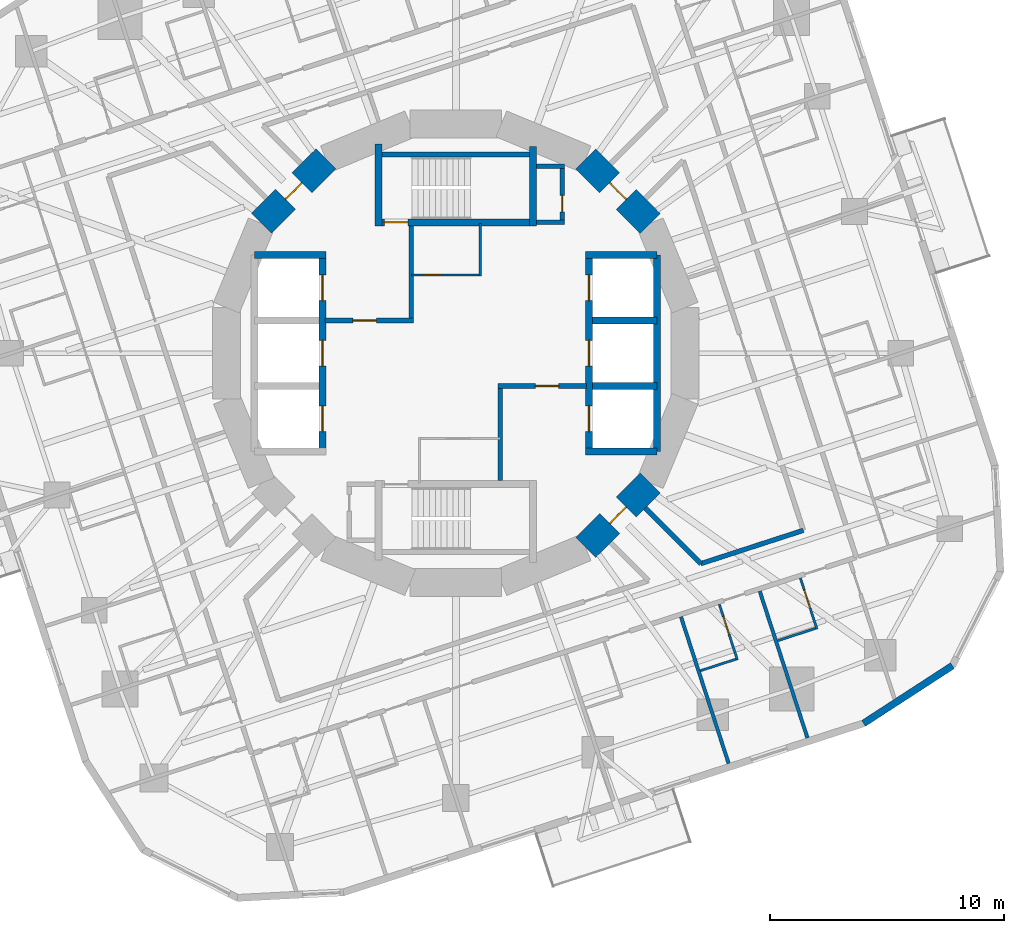
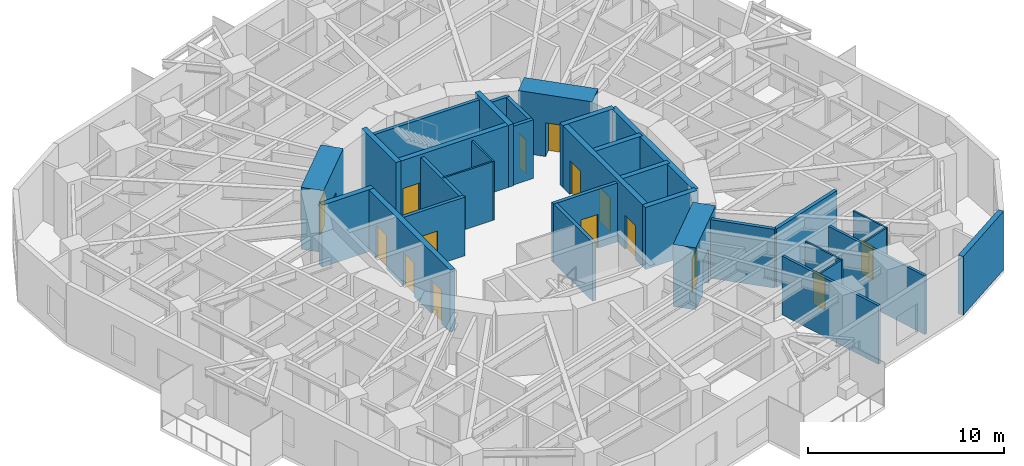
# One storey, part 7 of 12: 33 walls, 16 doors, 16 openings.
"""IFC4 building model written with IfcOpenShell, lengths in metres."""

from ifc_helpers import new_model, si_unit, direction, frame, frame_2d, origin, place, context, subcontext, project, spatial, rectangle, extrude, material, layer, layer_set, type_object, element, fill, save


model = new_model("IFC4")

# Units and contexts
model_context = context("Model", 3, precision=1e-05, world=origin(), true_north=direction((0.0, 1.0)))
body_context = subcontext(model_context, "Body", "Model", "MODEL_VIEW")
ifc_project = project(units=[si_unit("LENGTHUNIT", "METRE"), si_unit("AREAUNIT", "SQUARE_METRE"), si_unit("VOLUMEUNIT", "CUBIC_METRE"), si_unit("PLANEANGLEUNIT", "RADIAN"), si_unit("MASSUNIT", "GRAM", prefix="KILO")], contexts=[model_context])

# Site, building, storey
site_placement = place(None, origin())
site = spatial("IfcSite", under=ifc_project, at=site_placement, CompositionType="ELEMENT")
building_placement = place(site_placement, origin())
building = spatial("IfcBuilding", under=site, at=building_placement, Name="Nakasero Lantern House", CompositionType="ELEMENT")
storey_placement = place(building_placement, frame((0.0, 0.0, 168.75)))
storey = spatial("IfcBuildingStorey", under=building, at=storey_placement, Name="L41", CompositionType="ELEMENT", Elevation=168.75)

# Wall, openings, doors
ifc_material_1 = material(Name="Concrete C50/60", Category="concrete")
ifc_layer_1 = layer(ifc_material_1, 0.300048828125)
ifc_layer_set_1 = layer_set([ifc_layer_1], Name="Core inner wall 300")
wall_type_1 = type_object("IfcWallType", Name="Core inner wall 300", PredefinedType="SHEAR", material=ifc_layer_set_1)
wall_1_placement = place(storey_placement, frame((-5.699951171875, -4.199951171875, 0.0), z_axis=(0.0, 0.0, 1.0), x_axis=(0.0, 1.0, 0.0)))
wall_1 = element("IfcWall", 1, at=wall_1_placement, inside=storey, type_object=wall_type_1, Name="Core inner wall L41 LW", PredefinedType="SHEAR", context=body_context, shape_type="SweptSolid", body=[
    extrude(rectangle(XDim=8.39990234375, YDim=0.300048828125, at=frame_2d((4.199951171875, 0.0))), origin(), (0.0, 0.0, 1.0), 3.85009765625),
])
opening_1_placement = place(wall_1_placement, frame((0.85009765625, 0.0, 0.0)))
opening_1 = element("IfcOpeningElement", 2, at=opening_1_placement, cuts=wall_1, Name="Opening LD", PredefinedType="OPENING", context=body_context, shape_type="SweptSolid", body=[
    extrude(rectangle(XDim=1.10009765625, YDim=2.10009765625, at=frame_2d((0.550048828125, 1.050048828125))), frame((0.0, 0.169921875, 0.0), z_axis=(0.0, -1.0, 0.0), x_axis=(1.0, 0.0, 0.0)), (0.0, 0.0, 1.0), 0.340087890625),
])
opening_2_placement = place(wall_1_placement, frame((3.64990234375, 0.0, 0.0)))
opening_2 = element("IfcOpeningElement", 3, at=opening_2_placement, cuts=wall_1, Name="Opening LD", PredefinedType="OPENING", context=body_context, shape_type="SweptSolid", body=[
    extrude(rectangle(XDim=1.10009765625, YDim=2.10009765625, at=frame_2d((0.550048828125, 1.050048828125))), frame((0.0, 0.169921875, 0.0), z_axis=(0.0, -1.0, 0.0), x_axis=(1.0, 0.0, 0.0)), (0.0, 0.0, 1.0), 0.340087890625),
])
opening_3_placement = place(wall_1_placement, frame((6.449951171875, 0.0, 0.0)))
opening_3 = element("IfcOpeningElement", 4, at=opening_3_placement, cuts=wall_1, Name="Opening LD", PredefinedType="OPENING", context=body_context, shape_type="SweptSolid", body=[
    extrude(rectangle(XDim=1.10009765625, YDim=2.10009765625, at=frame_2d((0.550048828125, 1.050048828125))), frame((0.0, 0.169921875, 0.0), z_axis=(0.0, -1.0, 0.0), x_axis=(1.0, 0.0, 0.0)), (0.0, 0.0, 1.0), 0.340087890625),
])
ifc_material_2 = material(Name="Steel S355", Category="steel")
door_type_1 = type_object("IfcDoorType", Name="Lift landing door E120 1100", OperationType="SLIDING_TO_LEFT", PredefinedType="DOOR", material=ifc_material_2)
door_1_placement = place(opening_1_placement, origin())
door_1 = element("IfcDoor", 5, at=door_1_placement, inside=storey, type_object=door_type_1, Name="Lift landing door LW1", OperationType="SLIDING_TO_LEFT", OverallHeight=2.10009765625, OverallWidth=1.10009765625, PredefinedType="DOOR", context=body_context, shape_type="SweptSolid", body=[
    extrude(rectangle(XDim=1.10009765625, YDim=2.10009765625, at=frame_2d((0.550048828125, 1.050048828125))), frame((0.0, 0.02490234375, 0.0), z_axis=(0.0, -1.0, 0.0), x_axis=(1.0, 0.0, 0.0)), (0.0, 0.0, 1.0), 0.050048828125),
])
fill(opening_1, door_1)
door_2_placement = place(opening_2_placement, origin())
door_2 = element("IfcDoor", 6, at=door_2_placement, inside=storey, type_object=door_type_1, Name="Lift landing door LW2", OperationType="SLIDING_TO_LEFT", OverallHeight=2.10009765625, OverallWidth=1.10009765625, PredefinedType="DOOR", context=body_context, shape_type="SweptSolid", body=[
    extrude(rectangle(XDim=1.10009765625, YDim=2.10009765625, at=frame_2d((0.550048828125, 1.050048828125))), frame((0.0, 0.02490234375, 0.0), z_axis=(0.0, -1.0, 0.0), x_axis=(1.0, 0.0, 0.0)), (0.0, 0.0, 1.0), 0.050048828125),
])
fill(opening_2, door_2)
door_3_placement = place(opening_3_placement, origin())
door_3 = element("IfcDoor", 7, at=door_3_placement, inside=storey, type_object=door_type_1, Name="Lift landing door LW3", OperationType="SLIDING_TO_LEFT", OverallHeight=2.10009765625, OverallWidth=1.10009765625, PredefinedType="DOOR", context=body_context, shape_type="SweptSolid", body=[
    extrude(rectangle(XDim=1.10009765625, YDim=2.10009765625, at=frame_2d((0.550048828125, 1.050048828125))), frame((0.0, 0.02490234375, 0.0), z_axis=(0.0, -1.0, 0.0), x_axis=(1.0, 0.0, 0.0)), (0.0, 0.0, 1.0), 0.050048828125),
])
fill(opening_3, door_3)

wall_2_placement = place(storey_placement, frame((5.699951171875, -4.199951171875, 0.0), z_axis=(0.0, 0.0, 1.0), x_axis=(0.0, 1.0, 0.0)))
wall_2 = element("IfcWall", 8, at=wall_2_placement, inside=storey, type_object=wall_type_1, Name="Core inner wall L41 LE", PredefinedType="SHEAR", context=body_context, shape_type="SweptSolid", body=[
    extrude(rectangle(XDim=8.39990234375, YDim=0.300048828125, at=frame_2d((4.199951171875, 0.0))), origin(), (0.0, 0.0, 1.0), 3.85009765625),
])
opening_4_placement = place(wall_2_placement, frame((0.85009765625, 0.0, 0.0)))
opening_4 = element("IfcOpeningElement", 9, at=opening_4_placement, cuts=wall_2, Name="Opening LD", PredefinedType="OPENING", context=body_context, shape_type="SweptSolid", body=[
    extrude(rectangle(XDim=1.10009765625, YDim=2.10009765625, at=frame_2d((0.550048828125, 1.050048828125))), frame((0.0, 0.169921875, 0.0), z_axis=(0.0, -1.0, 0.0), x_axis=(1.0, 0.0, 0.0)), (0.0, 0.0, 1.0), 0.340087890625),
])
opening_5_placement = place(wall_2_placement, frame((3.64990234375, 0.0, 0.0)))
opening_5 = element("IfcOpeningElement", 10, at=opening_5_placement, cuts=wall_2, Name="Opening LD", PredefinedType="OPENING", context=body_context, shape_type="SweptSolid", body=[
    extrude(rectangle(XDim=1.10009765625, YDim=2.10009765625, at=frame_2d((0.550048828125, 1.050048828125))), frame((0.0, 0.169921875, 0.0), z_axis=(0.0, -1.0, 0.0), x_axis=(1.0, 0.0, 0.0)), (0.0, 0.0, 1.0), 0.340087890625),
])
opening_6_placement = place(wall_2_placement, frame((6.449951171875, 0.0, 0.0)))
opening_6 = element("IfcOpeningElement", 11, at=opening_6_placement, cuts=wall_2, Name="Opening LD", PredefinedType="OPENING", context=body_context, shape_type="SweptSolid", body=[
    extrude(rectangle(XDim=1.10009765625, YDim=2.10009765625, at=frame_2d((0.550048828125, 1.050048828125))), frame((0.0, 0.169921875, 0.0), z_axis=(0.0, -1.0, 0.0), x_axis=(1.0, 0.0, 0.0)), (0.0, 0.0, 1.0), 0.340087890625),
])
door_4_placement = place(opening_4_placement, origin())
door_4 = element("IfcDoor", 12, at=door_4_placement, inside=storey, type_object=door_type_1, Name="Lift landing door LE1", OperationType="SLIDING_TO_LEFT", OverallHeight=2.10009765625, OverallWidth=1.10009765625, PredefinedType="DOOR", context=body_context, shape_type="SweptSolid", body=[
    extrude(rectangle(XDim=1.10009765625, YDim=2.10009765625, at=frame_2d((0.550048828125, 1.050048828125))), frame((0.0, 0.02490234375, 0.0), z_axis=(0.0, -1.0, 0.0), x_axis=(1.0, 0.0, 0.0)), (0.0, 0.0, 1.0), 0.050048828125),
])
fill(opening_4, door_4)
door_5_placement = place(opening_5_placement, origin())
door_5 = element("IfcDoor", 13, at=door_5_placement, inside=storey, type_object=door_type_1, Name="Lift landing door LE2", OperationType="SLIDING_TO_LEFT", OverallHeight=2.10009765625, OverallWidth=1.10009765625, PredefinedType="DOOR", context=body_context, shape_type="SweptSolid", body=[
    extrude(rectangle(XDim=1.10009765625, YDim=2.10009765625, at=frame_2d((0.550048828125, 1.050048828125))), frame((0.0, 0.02490234375, 0.0), z_axis=(0.0, -1.0, 0.0), x_axis=(1.0, 0.0, 0.0)), (0.0, 0.0, 1.0), 0.050048828125),
])
fill(opening_5, door_5)
door_6_placement = place(opening_6_placement, origin())
door_6 = element("IfcDoor", 14, at=door_6_placement, inside=storey, type_object=door_type_1, Name="Lift landing door LE3", OperationType="SLIDING_TO_LEFT", OverallHeight=2.10009765625, OverallWidth=1.10009765625, PredefinedType="DOOR", context=body_context, shape_type="SweptSolid", body=[
    extrude(rectangle(XDim=1.10009765625, YDim=2.10009765625, at=frame_2d((0.550048828125, 1.050048828125))), frame((0.0, 0.02490234375, 0.0), z_axis=(0.0, -1.0, 0.0), x_axis=(1.0, 0.0, 0.0)), (0.0, 0.0, 1.0), 0.050048828125),
])
fill(opening_6, door_6)

# Walls
for number, where, z_axis, x_axis, name in (
    (15, (-8.60009765625, 4.199951171875, 0.0), (0.0, 0.0, 1.0), (1.0, 0.0, 0.0), "Core inner wall L41 LWN"),
    (16, (5.550048828125, 4.199951171875, 0.0), (0.0, 0.0, 1.0), (1.0, 0.0, 0.0), "Core inner wall L41 LEN"),
    (17, (5.550048828125, -4.199951171875, 0.0), (0.0, 0.0, 1.0), (1.0, 0.0, 0.0), "Core inner wall L41 LES"),
):
    element("IfcWall", number, at=place(storey_placement, frame(where, z_axis=z_axis, x_axis=x_axis)), inside=storey, type_object=wall_type_1, Name=name, PredefinedType="SHEAR", context=body_context, shape_type="SweptSolid", body=[
        extrude(rectangle(XDim=3.050048828125, YDim=0.300048828125, at=frame_2d((1.52490234375, 0.0))), origin(), (0.0, 0.0, 1.0), 3.85009765625),
    ])
wall_3_placement = place(storey_placement, frame((8.60009765625, -4.199951171875, 0.0), z_axis=(0.0, 0.0, 1.0), x_axis=(0.0, 1.0, 0.0)))
element("IfcWall", 18, at=wall_3_placement, inside=storey, type_object=wall_type_1, Name="Core inner wall L41 LEB", PredefinedType="SHEAR", context=body_context, shape_type="SweptSolid", body=[
    extrude(rectangle(XDim=8.39990234375, YDim=0.300048828125, at=frame_2d((4.199951171875, 0.0))), origin(), (0.0, 0.0, 1.0), 3.85009765625),
])
for number, where, z_axis, x_axis, name in (
    (19, (5.85009765625, -1.39990234375, 0.0), (0.0, 0.0, 1.0), (1.0, 0.0, 0.0), "Core inner wall L41 LE1"),
    (20, (5.85009765625, 1.39990234375, 0.0), (0.0, 0.0, 1.0), (1.0, 0.0, 0.0), "Core inner wall L41 LE2"),
):
    element("IfcWall", number, at=place(storey_placement, frame(where, z_axis=z_axis, x_axis=x_axis)), inside=storey, type_object=wall_type_1, Name=name, PredefinedType="SHEAR", context=body_context, shape_type="SweptSolid", body=[
        extrude(rectangle(XDim=2.75, YDim=0.300048828125, at=frame_2d((1.375, 0.0))), origin(), (0.0, 0.0, 1.0), 3.85009765625),
    ])

# Wall, opening, door
wall_4_placement = place(storey_placement, frame((-3.449951171875, 5.60009765625, 0.0), z_axis=(0.0, 0.0, 1.0), x_axis=(1.0, 0.0, 0.0)))
wall_4 = element("IfcWall", 21, at=wall_4_placement, inside=storey, type_object=wall_type_1, Name="Core inner wall L41 SN", PredefinedType="SHEAR", context=body_context, shape_type="SweptSolid", body=[
    extrude(rectangle(XDim=6.89990234375, YDim=0.300048828125, at=frame_2d((3.449951171875, 0.0))), origin(), (0.0, 0.0, 1.0), 3.85009765625),
])
opening_7_placement = place(wall_4_placement, frame((0.39990234375, 0.0, 0.0)))
opening_7 = element("IfcOpeningElement", 22, at=opening_7_placement, cuts=wall_4, Name="Opening D05", PredefinedType="OPENING", context=body_context, shape_type="SweptSolid", body=[
    extrude(rectangle(XDim=1.0, YDim=2.10009765625, at=frame_2d((0.5, 1.050048828125))), frame((0.0, 0.169921875, 0.0), z_axis=(0.0, -1.0, 0.0), x_axis=(1.0, 0.0, 0.0)), (0.0, 0.0, 1.0), 0.340087890625),
])
ifc_material_3 = material(Name="Timber C24", Category="wood")
door_type_2 = type_object("IfcDoorType", Name="Core door FD60S 1000", OperationType="SINGLE_SWING_LEFT", PredefinedType="DOOR", material=ifc_material_3)
door_7_placement = place(opening_7_placement, origin())
door_7 = element("IfcDoor", 23, at=door_7_placement, inside=storey, type_object=door_type_2, Name="Door L41 D-ST1", OperationType="SINGLE_SWING_LEFT", OverallHeight=2.10009765625, OverallWidth=1.0, PredefinedType="DOOR", context=body_context, shape_type="SweptSolid", body=[
    extrude(rectangle(XDim=1.0, YDim=2.10009765625, at=frame_2d((0.5, 1.050048828125))), frame((0.0, 0.02490234375, 0.0), z_axis=(0.0, -1.0, 0.0), x_axis=(1.0, 0.0, 0.0)), (0.0, 0.0, 1.0), 0.050048828125),
])
fill(opening_7, door_7)

# Walls
wall_5_placement = place(storey_placement, frame((-3.300048828125, 5.449951171875, 0.0), z_axis=(0.0, 0.0, 1.0), x_axis=(0.0, 1.0, 0.0)))
element("IfcWall", 24, at=wall_5_placement, inside=storey, type_object=wall_type_1, Name="Core inner wall L41 SNW", PredefinedType="SHEAR", context=body_context, shape_type="SweptSolid", body=[
    extrude(rectangle(XDim=3.5, YDim=0.300048828125, at=frame_2d((1.75, 0.0))), origin(), (0.0, 0.0, 1.0), 3.85009765625),
])
wall_6_placement = place(storey_placement, frame((3.300048828125, 5.449951171875, 0.0), z_axis=(0.0, 0.0, 1.0), x_axis=(0.0, 1.0, 0.0)))
element("IfcWall", 25, at=wall_6_placement, inside=storey, type_object=wall_type_1, Name="Core inner wall L41 SNE", PredefinedType="SHEAR", context=body_context, shape_type="SweptSolid", body=[
    extrude(rectangle(XDim=3.400146484375, YDim=0.300048828125, at=frame_2d((1.7001953125, 0.0))), origin(), (0.0, 0.0, 1.0), 3.85009765625),
])

# Wall, opening, door
ifc_material_4 = material(Name="Blockwork", Category="masonry")
ifc_layer_2 = layer(ifc_material_4, 0.10009765625)
ifc_layer_set_2 = layer_set([ifc_layer_2], Name="Core room wall 100")
wall_type_2 = type_object("IfcWallType", Name="Core room wall 100", PredefinedType="PARTITIONING", material=ifc_layer_set_2)
wall_7_placement = place(storey_placement, frame((-1.89990234375, 3.35009765625, 0.0), z_axis=(0.0, 0.0, 1.0), x_axis=(1.0, 0.0, 0.0)))
wall_7 = element("IfcWall", 26, at=wall_7_placement, inside=storey, type_object=wall_type_2, Name="Core room wall L41 CR-NES", PredefinedType="PARTITIONING", context=body_context, shape_type="SweptSolid", body=[
    extrude(rectangle(XDim=3.0, YDim=0.10009765625, at=frame_2d((1.5, 0.0))), origin(), (0.0, 0.0, 1.0), 3.64990234375),
])
opening_8_placement = place(wall_7_placement, frame((0.5, 0.0, 0.0)))
opening_8 = element("IfcOpeningElement", 27, at=opening_8_placement, cuts=wall_7, Name="Opening D15", PredefinedType="OPENING", context=body_context, shape_type="SweptSolid", body=[
    extrude(rectangle(XDim=0.800048828125, YDim=2.10009765625, at=frame_2d((0.39990234375, 1.050048828125))), frame((0.0, 0.070068359375, 0.0), z_axis=(0.0, -1.0, 0.0), x_axis=(1.0, 0.0, 0.0)), (0.0, 0.0, 1.0), 0.14013671875),
])
ifc_material_5 = material(Name="Timber C24", Category="wood")
door_type_3 = type_object("IfcDoorType", Name="Cleaner's store door FD30S 800", OperationType="SINGLE_SWING_LEFT", PredefinedType="DOOR", material=ifc_material_5)
door_8_placement = place(opening_8_placement, origin())
door_8 = element("IfcDoor", 28, at=door_8_placement, inside=storey, type_object=door_type_3, Name="Door L41 D-CR-NE", OperationType="SINGLE_SWING_LEFT", OverallHeight=2.10009765625, OverallWidth=0.800048828125, PredefinedType="DOOR", context=body_context, shape_type="SweptSolid", body=[
    extrude(rectangle(XDim=0.800048828125, YDim=2.10009765625, at=frame_2d((0.39990234375, 1.050048828125))), frame((0.0, 0.02490234375, 0.0), z_axis=(0.0, -1.0, 0.0), x_axis=(1.0, 0.0, 0.0)), (0.0, 0.0, 1.0), 0.050048828125),
])
fill(opening_8, door_8)

# Wall
wall_8_placement = place(storey_placement, frame((1.050048828125, 3.300048828125, 0.0), z_axis=(0.0, 0.0, 1.0), x_axis=(0.0, 1.0, 0.0)))
element("IfcWall", 29, at=wall_8_placement, inside=storey, type_object=wall_type_2, Name="Core room wall L41 CR-NEE", PredefinedType="PARTITIONING", context=body_context, shape_type="SweptSolid", body=[
    extrude(rectangle(XDim=2.25, YDim=0.10009765625, at=frame_2d((1.125, 0.0))), origin(), (0.0, 0.0, 1.0), 3.64990234375),
])

# Wall, opening, door
ifc_material_6 = material(Name="Concrete C50/60", Category="concrete")
ifc_layer_3 = layer(ifc_material_6, 1.199951171875)
ifc_layer_set_3 = layer_set([ifc_layer_3], Name="Core wall 1200")
wall_type_3 = type_object("IfcWallType", Name="Core wall 1200", PredefinedType="SHEAR", material=ifc_layer_set_3)
wall_9_placement = place(storey_placement, frame((8.314697265625, 5.5556640625, 0.0), z_axis=(0.0, 0.0, 1.0), x_axis=(-0.707106781187, 0.707106781187, 0.0)))
wall_9 = element("IfcWall", 30, at=wall_9_placement, inside=storey, type_object=wall_type_3, Name="Core wall L41 facet 2", PredefinedType="SHEAR", context=body_context, shape_type="SweptSolid", body=[
    extrude(rectangle(XDim=3.90185546875, YDim=1.199951171875, at=frame_2d((1.950927734375, 0.0))), origin(), (0.0, 0.0, 1.0), 3.85009765625),
])
opening_9_placement = place(wall_9_placement, frame((1.450927734375, 0.0, 0.0)))
opening_9 = element("IfcOpeningElement", 31, at=opening_9_placement, cuts=wall_9, Name="Opening D05", PredefinedType="OPENING", context=body_context, shape_type="SweptSolid", body=[
    extrude(rectangle(XDim=1.0, YDim=2.10009765625, at=frame_2d((0.5, 1.050048828125))), frame((0.0, 0.619873046875, 0.0), z_axis=(0.0, -1.0, 0.0), x_axis=(1.0, 0.0, 0.0)), (0.0, 0.0, 1.0), 1.239990234375),
])
door_9_placement = place(opening_9_placement, origin())
door_9 = element("IfcDoor", 32, at=door_9_placement, inside=storey, type_object=door_type_2, Name="Door L41 D-CORE02", OperationType="SINGLE_SWING_LEFT", OverallHeight=2.10009765625, OverallWidth=1.0, PredefinedType="DOOR", context=body_context, shape_type="SweptSolid", body=[
    extrude(rectangle(XDim=1.0, YDim=2.10009765625, at=frame_2d((0.5, 1.050048828125))), frame((0.0, 0.02490234375, 0.0), z_axis=(0.0, -1.0, 0.0), x_axis=(1.0, 0.0, 0.0)), (0.0, 0.0, 1.0), 0.050048828125),
])
fill(opening_9, door_9)

wall_10_placement = place(storey_placement, frame((-5.5556640625, 8.314697265625, 0.0), z_axis=(0.0, 0.0, 1.0), x_axis=(-0.707106781187, -0.707106781187, 0.0)))
wall_10 = element("IfcWall", 33, at=wall_10_placement, inside=storey, type_object=wall_type_3, Name="Core wall L41 facet 6", PredefinedType="SHEAR", context=body_context, shape_type="SweptSolid", body=[
    extrude(rectangle(XDim=3.90185546875, YDim=1.199951171875, at=frame_2d((1.950927734375, 0.0))), origin(), (0.0, 0.0, 1.0), 3.85009765625),
])
opening_10_placement = place(wall_10_placement, frame((1.450927734375, 0.0, 0.0)))
opening_10 = element("IfcOpeningElement", 34, at=opening_10_placement, cuts=wall_10, Name="Opening D05", PredefinedType="OPENING", context=body_context, shape_type="SweptSolid", body=[
    extrude(rectangle(XDim=1.0, YDim=2.10009765625, at=frame_2d((0.5, 1.050048828125))), frame((0.0, 0.619873046875, 0.0), z_axis=(0.0, -1.0, 0.0), x_axis=(1.0, 0.0, 0.0)), (0.0, 0.0, 1.0), 1.239990234375),
])
door_10_placement = place(opening_10_placement, origin())
door_10 = element("IfcDoor", 35, at=door_10_placement, inside=storey, type_object=door_type_2, Name="Door L41 D-CORE06", OperationType="SINGLE_SWING_LEFT", OverallHeight=2.10009765625, OverallWidth=1.0, PredefinedType="DOOR", context=body_context, shape_type="SweptSolid", body=[
    extrude(rectangle(XDim=1.0, YDim=2.10009765625, at=frame_2d((0.5, 1.050048828125))), frame((0.0, 0.02490234375, 0.0), z_axis=(0.0, -1.0, 0.0), x_axis=(1.0, 0.0, 0.0)), (0.0, 0.0, 1.0), 0.050048828125),
])
fill(opening_10, door_10)

wall_11_placement = place(storey_placement, frame((5.5556640625, -8.314697265625, 0.0), z_axis=(0.0, 0.0, 1.0), x_axis=(0.707106781187, 0.707106781187, 0.0)))
wall_11 = element("IfcWall", 36, at=wall_11_placement, inside=storey, type_object=wall_type_3, Name="Core wall L41 facet 14", PredefinedType="SHEAR", context=body_context, shape_type="SweptSolid", body=[
    extrude(rectangle(XDim=3.90185546875, YDim=1.199951171875, at=frame_2d((1.950927734375, 0.0))), origin(), (0.0, 0.0, 1.0), 3.85009765625),
])
opening_11_placement = place(wall_11_placement, frame((1.450927734375, 0.0, 0.0)))
opening_11 = element("IfcOpeningElement", 37, at=opening_11_placement, cuts=wall_11, Name="Opening D05", PredefinedType="OPENING", context=body_context, shape_type="SweptSolid", body=[
    extrude(rectangle(XDim=1.0, YDim=2.10009765625, at=frame_2d((0.5, 1.050048828125))), frame((0.0, 0.619873046875, 0.0), z_axis=(0.0, -1.0, 0.0), x_axis=(1.0, 0.0, 0.0)), (0.0, 0.0, 1.0), 1.239990234375),
])
door_11_placement = place(opening_11_placement, origin())
door_11 = element("IfcDoor", 38, at=door_11_placement, inside=storey, type_object=door_type_2, Name="Door L41 D-CORE14", OperationType="SINGLE_SWING_LEFT", OverallHeight=2.10009765625, OverallWidth=1.0, PredefinedType="DOOR", context=body_context, shape_type="SweptSolid", body=[
    extrude(rectangle(XDim=1.0, YDim=2.10009765625, at=frame_2d((0.5, 1.050048828125))), frame((0.0, 0.02490234375, 0.0), z_axis=(0.0, -1.0, 0.0), x_axis=(1.0, 0.0, 0.0)), (0.0, 0.0, 1.0), 0.050048828125),
])
fill(opening_11, door_11)

# Walls
ifc_material_7 = material(Name="Blockwork", Category="masonry")
ifc_layer_4 = layer(ifc_material_7, 0.199951171875)
ifc_layer_set_4 = layer_set([ifc_layer_4], Name="Corridor wall 200")
wall_type_4 = type_object("IfcWallType", Name="Corridor wall 200", PredefinedType="PARTITIONING", material=ifc_layer_set_4)
wall_12_placement = place(storey_placement, frame((10.4853515625, -9.00048828125, 0.0), z_axis=(0.0, 0.0, 1.0), x_axis=(0.951055475561, 0.309020197406, 0.0)))
element("IfcWall", 39, at=wall_12_placement, inside=storey, type_object=wall_type_4, Name="Corridor wall L41 IW3-1", PredefinedType="PARTITIONING", context=body_context, shape_type="SweptSolid", body=[
    extrude(rectangle(XDim=4.609130859375, YDim=0.199951171875, at=frame_2d((2.3046875, 0.0))), origin(), (0.0, 0.0, 1.0), 3.64990234375),
])
wall_13_placement = place(storey_placement, frame((8.101806640625, -6.616943359375, 0.0), z_axis=(0.0, 0.0, 1.0), x_axis=(0.707106781187, -0.707106781187, 0.0)))
element("IfcWall", 40, at=wall_13_placement, inside=storey, type_object=wall_type_4, Name="Corridor wall L41 PS14a", PredefinedType="PARTITIONING", context=body_context, shape_type="SweptSolid", body=[
    extrude(rectangle(XDim=3.370849609375, YDim=0.199951171875, at=frame_2d((1.685546875, 0.0))), origin(), (0.0, 0.0, 1.0), 3.64990234375),
])

# Wall, opening, door
ifc_material_8 = material(Name="Blockwork", Category="masonry")
ifc_layer_5 = layer(ifc_material_8, 0.10009765625)
ifc_layer_set_5 = layer_set([ifc_layer_5], Name="En-suite wall 100")
wall_type_5 = type_object("IfcWallType", Name="En-suite wall 100", PredefinedType="PARTITIONING", material=ifc_layer_set_5)
wall_14_placement = place(storey_placement, frame((11.2744140625, -10.74169921875, 0.0), z_axis=(0.0, 0.0, 1.0), x_axis=(0.308982287281, -0.951067792613, 0.0)))
wall_14 = element("IfcWall", 41, at=wall_14_placement, inside=storey, type_object=wall_type_5, Name="En-suite wall L41 ES3-05", PredefinedType="PARTITIONING", context=body_context, shape_type="SweptSolid", body=[
    extrude(rectangle(XDim=2.5, YDim=0.10009765625, at=frame_2d((1.25, 0.0))), origin(), (0.0, 0.0, 1.0), 3.64990234375),
])
opening_12_placement = place(wall_14_placement, frame((0.550048828125, 0.0, 0.0)))
opening_12 = element("IfcOpeningElement", 42, at=opening_12_placement, cuts=wall_14, Name="Opening D02", PredefinedType="OPENING", context=body_context, shape_type="SweptSolid", body=[
    extrude(rectangle(XDim=0.800048828125, YDim=2.10009765625, at=frame_2d((0.39990234375, 1.050048828125))), frame((0.0, 0.070068359375, 0.0), z_axis=(0.0, -1.0, 0.0), x_axis=(1.0, 0.0, 0.0)), (0.0, 0.0, 1.0), 0.14013671875),
])
ifc_material_9 = material(Name="Timber C24", Category="wood")
door_type_4 = type_object("IfcDoorType", Name="En-suite door 800", OperationType="SINGLE_SWING_RIGHT", PredefinedType="DOOR", material=ifc_material_9)
door_12_placement = place(opening_12_placement, origin())
door_12 = element("IfcDoor", 43, at=door_12_placement, inside=storey, type_object=door_type_4, Name="Door L41 DE3-05", OperationType="SINGLE_SWING_LEFT", OverallHeight=2.10009765625, OverallWidth=0.800048828125, PredefinedType="DOOR", context=body_context, shape_type="SweptSolid", body=[
    extrude(rectangle(XDim=0.800048828125, YDim=2.10009765625, at=frame_2d((0.39990234375, 1.050048828125))), frame((0.0, 0.02490234375, 0.0), z_axis=(0.0, -1.0, 0.0), x_axis=(1.0, 0.0, 0.0)), (0.0, 0.0, 1.0), 0.050048828125),
])
fill(opening_12, door_12)

# Wall
wall_15_placement = place(storey_placement, frame((10.462158203125, -13.581787109375, 0.0), z_axis=(0.0, 0.0, 1.0), x_axis=(0.951066581729, 0.308986014439, 0.0)))
element("IfcWall", 44, at=wall_15_placement, inside=storey, type_object=wall_type_5, Name="En-suite wall L41 EE3-05", PredefinedType="PARTITIONING", context=body_context, shape_type="SweptSolid", body=[
    extrude(rectangle(XDim=1.60009765625, YDim=0.10009765625, at=frame_2d((0.800048828125, 0.0))), origin(), (0.0, 0.0, 1.0), 3.64990234375),
])

# Wall, opening, door
wall_16_placement = place(storey_placement, frame((14.740234375, -9.61572265625, 0.0), z_axis=(0.0, 0.0, 1.0), x_axis=(0.309021261611, -0.951055129775, 0.0)))
wall_16 = element("IfcWall", 45, at=wall_16_placement, inside=storey, type_object=wall_type_5, Name="En-suite wall L41 ES3-06", PredefinedType="PARTITIONING", context=body_context, shape_type="SweptSolid", body=[
    extrude(rectangle(XDim=2.2998046875, YDim=0.10009765625, at=frame_2d((1.14990234375, 0.0))), origin(), (0.0, 0.0, 1.0), 3.64990234375),
])
opening_13_placement = place(wall_16_placement, frame((0.550048828125, 0.0, 0.0)))
opening_13 = element("IfcOpeningElement", 46, at=opening_13_placement, cuts=wall_16, Name="Opening D02", PredefinedType="OPENING", context=body_context, shape_type="SweptSolid", body=[
    extrude(rectangle(XDim=0.800048828125, YDim=2.10009765625, at=frame_2d((0.39990234375, 1.050048828125))), frame((0.0, 0.070068359375, 0.0), z_axis=(0.0, -1.0, 0.0), x_axis=(1.0, 0.0, 0.0)), (0.0, 0.0, 1.0), 0.14013671875),
])
door_13_placement = place(opening_13_placement, origin())
door_13 = element("IfcDoor", 47, at=door_13_placement, inside=storey, type_object=door_type_4, Name="Door L41 DE3-06", OperationType="SINGLE_SWING_LEFT", OverallHeight=2.10009765625, OverallWidth=0.800048828125, PredefinedType="DOOR", context=body_context, shape_type="SweptSolid", body=[
    extrude(rectangle(XDim=0.800048828125, YDim=2.10009765625, at=frame_2d((0.39990234375, 1.050048828125))), frame((0.0, 0.02490234375, 0.0), z_axis=(0.0, -1.0, 0.0), x_axis=(1.0, 0.0, 0.0)), (0.0, 0.0, 1.0), 0.050048828125),
])
fill(opening_13, door_13)

# Walls
wall_17_placement = place(storey_placement, frame((13.771240234375, -12.29638671875, 0.0), z_axis=(0.0, 0.0, 1.0), x_axis=(0.951040401051, 0.309066587596, 0.0)))
element("IfcWall", 48, at=wall_17_placement, inside=storey, type_object=wall_type_5, Name="En-suite wall L41 EE3-06", PredefinedType="PARTITIONING", context=body_context, shape_type="SweptSolid", body=[
    extrude(rectangle(XDim=1.699951171875, YDim=0.10009765625, at=frame_2d((0.85009765625, 0.0))), origin(), (0.0, 0.0, 1.0), 3.64990234375),
])
ifc_material_10 = material(Name="Aluminium rainscreen on blockwork", Category="masonry")
ifc_layer_6 = layer(ifc_material_10, 0.300048828125)
ifc_layer_set_6 = layer_set([ifc_layer_6], Name="Facade wall 300")
wall_type_6 = type_object("IfcWallType", Name="Facade wall 300", PredefinedType="SOLIDWALL", material=ifc_layer_set_6)
wall_18_placement = place(storey_placement, frame((17.44677734375, -15.83349609375, 0.0), z_axis=(0.0, 0.0, 1.0), x_axis=(0.838673836229, 0.544634002266, 0.0)))
element("IfcWall", 49, at=wall_18_placement, inside=storey, type_object=wall_type_6, Name="Facade wall L41 FW3C1", PredefinedType="SOLIDWALL", context=body_context, shape_type="SweptSolid", body=[
    extrude(rectangle(XDim=4.529296875, YDim=0.300048828125, at=frame_2d((2.2646484375, 0.0))), origin(), (0.0, 0.0, 1.0), 3.64990234375),
])

# Wall, opening, door
ifc_material_11 = material(Name="Blockwork", Category="masonry")
ifc_layer_7 = layer(ifc_material_11, 0.199951171875)
ifc_layer_set_7 = layer_set([ifc_layer_7], Name="Fire lobby wall 200")
wall_type_7 = type_object("IfcWallType", Name="Fire lobby wall 200", PredefinedType="PARTITIONING", material=ifc_layer_set_7)
wall_19_placement = place(storey_placement, frame((-5.60009765625, 1.39990234375, 0.0), z_axis=(0.0, 0.0, 1.0), x_axis=(1.0, 0.0, 0.0)))
wall_19 = element("IfcWall", 50, at=wall_19_placement, inside=storey, type_object=wall_type_7, Name="Fire lobby wall L41 W-FL1S", PredefinedType="PARTITIONING", context=body_context, shape_type="SweptSolid", body=[
    extrude(rectangle(XDim=3.800048828125, YDim=0.199951171875, at=frame_2d((1.89990234375, 0.0))), origin(), (0.0, 0.0, 1.0), 3.64990234375),
])
opening_14_placement = place(wall_19_placement, frame((1.199951171875, 0.0, 0.0)))
opening_14 = element("IfcOpeningElement", 51, at=opening_14_placement, cuts=wall_19, Name="Opening D05", PredefinedType="OPENING", context=body_context, shape_type="SweptSolid", body=[
    extrude(rectangle(XDim=1.0, YDim=2.10009765625, at=frame_2d((0.5, 1.050048828125))), frame((0.0, 0.119873046875, 0.0), z_axis=(0.0, -1.0, 0.0), x_axis=(1.0, 0.0, 0.0)), (0.0, 0.0, 1.0), 0.239990234375),
])
door_14_placement = place(opening_14_placement, origin())
door_14 = element("IfcDoor", 52, at=door_14_placement, inside=storey, type_object=door_type_2, Name="Door L41 D-FL1", OperationType="SINGLE_SWING_LEFT", OverallHeight=2.10009765625, OverallWidth=1.0, PredefinedType="DOOR", context=body_context, shape_type="SweptSolid", body=[
    extrude(rectangle(XDim=1.0, YDim=2.10009765625, at=frame_2d((0.5, 1.050048828125))), frame((0.0, 0.02490234375, 0.0), z_axis=(0.0, -1.0, 0.0), x_axis=(1.0, 0.0, 0.0)), (0.0, 0.0, 1.0), 0.050048828125),
])
fill(opening_14, door_14)

# Wall
wall_20_placement = place(storey_placement, frame((-1.89990234375, 1.5, 0.0), z_axis=(0.0, 0.0, 1.0), x_axis=(0.0, 1.0, 0.0)))
element("IfcWall", 53, at=wall_20_placement, inside=storey, type_object=wall_type_7, Name="Fire lobby wall L41 W-FL1E", PredefinedType="PARTITIONING", context=body_context, shape_type="SweptSolid", body=[
    extrude(rectangle(XDim=3.949951171875, YDim=0.199951171875, at=frame_2d((1.97509765625, 0.0))), origin(), (0.0, 0.0, 1.0), 3.64990234375),
])

# Wall, opening, door
wall_21_placement = place(storey_placement, frame((5.60009765625, -1.39990234375, 0.0), z_axis=(0.0, 0.0, 1.0), x_axis=(-1.0, 0.0, 0.0)))
wall_21 = element("IfcWall", 54, at=wall_21_placement, inside=storey, type_object=wall_type_7, Name="Fire lobby wall L41 W-FL2N", PredefinedType="PARTITIONING", context=body_context, shape_type="SweptSolid", body=[
    extrude(rectangle(XDim=3.800048828125, YDim=0.199951171875, at=frame_2d((1.89990234375, 0.0))), origin(), (0.0, 0.0, 1.0), 3.64990234375),
])
opening_15_placement = place(wall_21_placement, frame((1.199951171875, 0.0, 0.0)))
opening_15 = element("IfcOpeningElement", 55, at=opening_15_placement, cuts=wall_21, Name="Opening D05", PredefinedType="OPENING", context=body_context, shape_type="SweptSolid", body=[
    extrude(rectangle(XDim=1.0, YDim=2.10009765625, at=frame_2d((0.5, 1.050048828125))), frame((0.0, 0.119873046875, 0.0), z_axis=(0.0, -1.0, 0.0), x_axis=(1.0, 0.0, 0.0)), (0.0, 0.0, 1.0), 0.239990234375),
])
door_15_placement = place(opening_15_placement, origin())
door_15 = element("IfcDoor", 56, at=door_15_placement, inside=storey, type_object=door_type_2, Name="Door L41 D-FL2", OperationType="SINGLE_SWING_LEFT", OverallHeight=2.10009765625, OverallWidth=1.0, PredefinedType="DOOR", context=body_context, shape_type="SweptSolid", body=[
    extrude(rectangle(XDim=1.0, YDim=2.10009765625, at=frame_2d((0.5, 1.050048828125))), frame((0.0, 0.02490234375, 0.0), z_axis=(0.0, -1.0, 0.0), x_axis=(1.0, 0.0, 0.0)), (0.0, 0.0, 1.0), 0.050048828125),
])
fill(opening_15, door_15)

# Wall
wall_22_placement = place(storey_placement, frame((1.89990234375, -1.5, 0.0), z_axis=(0.0, 0.0, 1.0), x_axis=(0.0, -1.0, 0.0)))
element("IfcWall", 57, at=wall_22_placement, inside=storey, type_object=wall_type_7, Name="Fire lobby wall L41 W-FL2W", PredefinedType="PARTITIONING", context=body_context, shape_type="SweptSolid", body=[
    extrude(rectangle(XDim=3.949951171875, YDim=0.199951171875, at=frame_2d((1.97509765625, 0.0))), origin(), (0.0, 0.0, 1.0), 3.64990234375),
])

# Wall, opening, door
wall_23_placement = place(storey_placement, frame((4.550048828125, 5.60009765625, 0.0), z_axis=(0.0, 0.0, 1.0), x_axis=(0.0, 1.0, 0.0)))
wall_23 = element("IfcWall", 58, at=wall_23_placement, inside=storey, type_object=wall_type_7, Name="Fire lobby wall L41 W-RS1E", PredefinedType="PARTITIONING", context=body_context, shape_type="SweptSolid", body=[
    extrude(rectangle(XDim=2.39990234375, YDim=0.199951171875, at=frame_2d((1.199951171875, 0.0))), origin(), (0.0, 0.0, 1.0), 3.64990234375),
])
opening_16_placement = place(wall_23_placement, frame((0.449951171875, 0.0, 0.0)))
opening_16 = element("IfcOpeningElement", 59, at=opening_16_placement, cuts=wall_23, Name="Opening D06", PredefinedType="OPENING", context=body_context, shape_type="SweptSolid", body=[
    extrude(rectangle(XDim=0.699951171875, YDim=2.10009765625, at=frame_2d((0.35009765625, 1.050048828125))), frame((0.0, 0.119873046875, 0.0), z_axis=(0.0, -1.0, 0.0), x_axis=(1.0, 0.0, 0.0)), (0.0, 0.0, 1.0), 0.239990234375),
])
ifc_material_12 = material(Name="Steel S355", Category="steel")
door_type_5 = type_object("IfcDoorType", Name="Riser door FD60 700", OperationType="SINGLE_SWING_LEFT", PredefinedType="DOOR", material=ifc_material_12)
door_16_placement = place(opening_16_placement, origin())
door_16 = element("IfcDoor", 60, at=door_16_placement, inside=storey, type_object=door_type_5, Name="Door L41 D-RS1", OperationType="SINGLE_SWING_LEFT", OverallHeight=2.10009765625, OverallWidth=0.699951171875, PredefinedType="DOOR", context=body_context, shape_type="SweptSolid", body=[
    extrude(rectangle(XDim=0.699951171875, YDim=2.10009765625, at=frame_2d((0.35009765625, 1.050048828125))), frame((0.0, 0.02490234375, 0.0), z_axis=(0.0, -1.0, 0.0), x_axis=(1.0, 0.0, 0.0)), (0.0, 0.0, 1.0), 0.050048828125),
])
fill(opening_16, door_16)

# Walls
for number, where, z_axis, x_axis, name in (
    (61, (3.449951171875, 8.0, 0.0), (0.0, 0.0, 1.0), (1.0, 0.0, 0.0), "Fire lobby wall L41 W-RS1N"),
    (62, (3.449951171875, 5.60009765625, 0.0), (0.0, 0.0, 1.0), (1.0, 0.0, 0.0), "Fire lobby wall L41 W-RS1S"),
):
    element("IfcWall", number, at=place(storey_placement, frame(where, z_axis=z_axis, x_axis=x_axis)), inside=storey, type_object=wall_type_7, Name=name, PredefinedType="PARTITIONING", context=body_context, shape_type="SweptSolid", body=[
        extrude(rectangle(XDim=1.199951171875, YDim=0.199951171875, at=frame_2d((0.60009765625, 0.0))), origin(), (0.0, 0.0, 1.0), 3.64990234375),
    ])
wall_24_placement = place(storey_placement, frame((-3.300048828125, 8.5, 0.0), z_axis=(0.0, 0.0, 1.0), x_axis=(1.0, 0.0, 0.0)))
element("IfcWall", 63, at=wall_24_placement, inside=storey, type_object=wall_type_7, Name="Fire lobby wall L41 W-STN", PredefinedType="PARTITIONING", context=body_context, shape_type="SweptSolid", body=[
    extrude(rectangle(XDim=6.60009765625, YDim=0.199951171875, at=frame_2d((3.300048828125, 0.0))), origin(), (0.0, 0.0, 1.0), 3.64990234375),
])
ifc_material_13 = material(Name="Blockwork", Category="masonry")
ifc_layer_8 = layer(ifc_material_13, 0.14990234375)
ifc_layer_set_8 = layer_set([ifc_layer_8], Name="Party wall 150")
wall_type_8 = type_object("IfcWallType", Name="Party wall 150", PredefinedType="PARTITIONING", material=ifc_layer_set_8)
for number, where, z_axis, x_axis, name in (
    (64, (9.6337890625, -11.27490234375, 0.0), (0.0, 0.0, 1.0), (0.309027520945, -0.951053095941, 0.0), "Party wall L41 PW3-05"),
    (65, (13.004638671875, -10.1796875, 0.0), (0.0, 0.0, 1.0), (0.309027520945, -0.951053095941, 0.0), "Party wall L41 PW3-06"),
):
    element("IfcWall", number, at=place(storey_placement, frame(where, z_axis=z_axis, x_axis=x_axis)), inside=storey, type_object=wall_type_8, Name=name, PredefinedType="PARTITIONING", context=body_context, shape_type="SweptSolid", body=[
        extrude(rectangle(XDim=6.599853515625, YDim=0.14990234375, at=frame_2d((3.2998046875, 0.0))), origin(), (0.0, 0.0, 1.0), 3.64990234375),
    ])

save(model, "model.ifc")
